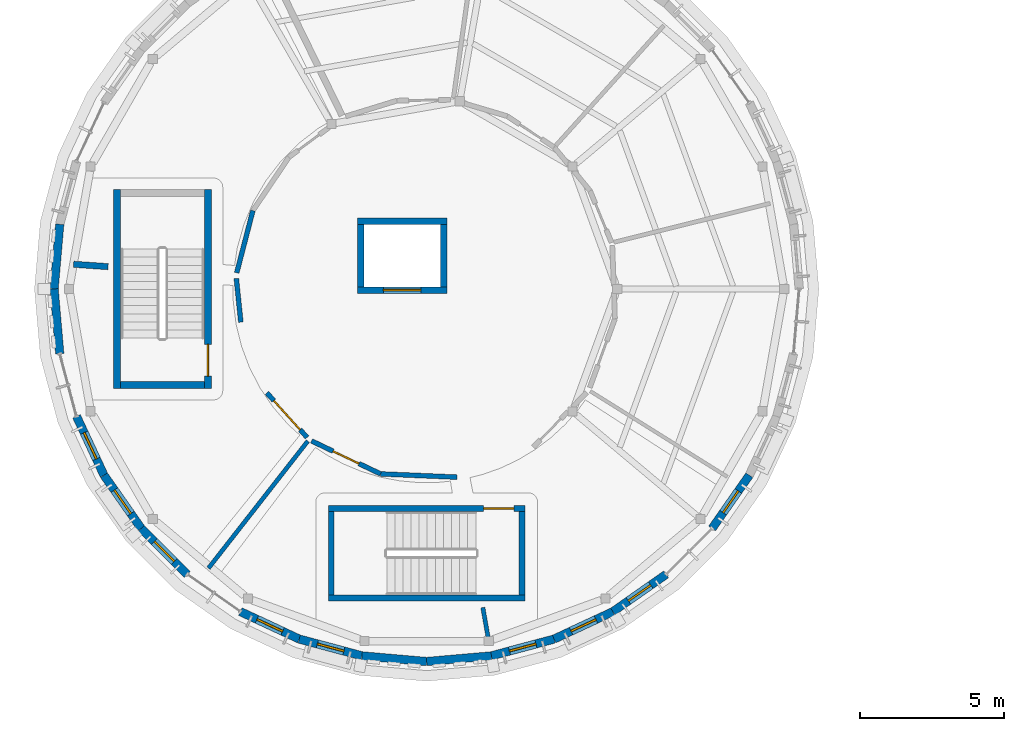
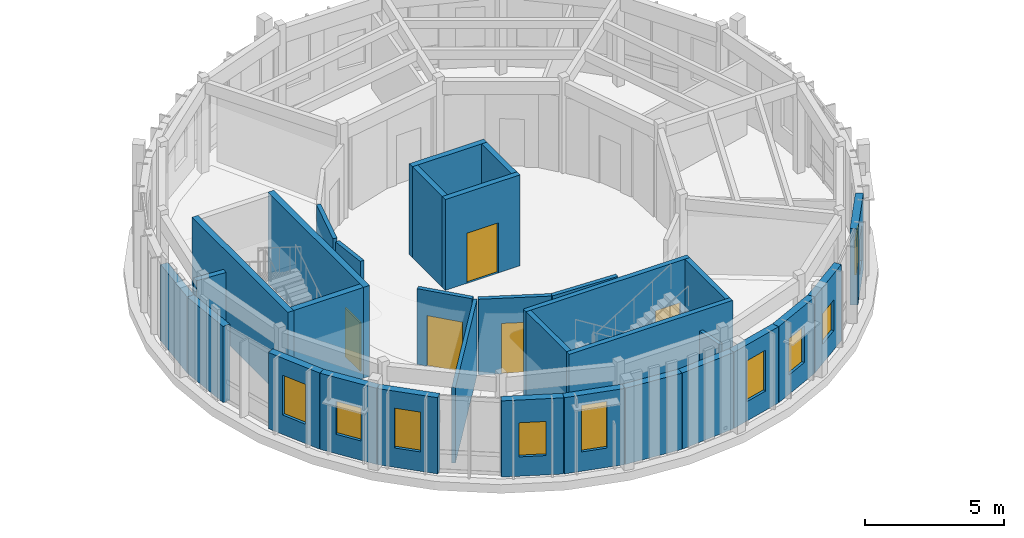
# One storey, part 17 of 37: 32 walls, 9 windows, 5 doors, 14 openings.
"""IFC4 building model written with IfcOpenShell, lengths in metres."""

from ifc_helpers import new_model, si_unit, direction, frame, frame_2d, origin, place, context, subcontext, project, spatial, rectangle, extrude, material, layer, layer_set, type_object, element, fill, save


model = new_model("IFC4")

# Units and contexts
model_context = context("Model", 3, precision=1e-05, world=origin(), true_north=direction((0.0, 1.0)))
body_context = subcontext(model_context, "Body", "Model", "MODEL_VIEW")
ifc_project = project(units=[si_unit("LENGTHUNIT", "METRE"), si_unit("AREAUNIT", "SQUARE_METRE"), si_unit("VOLUMEUNIT", "CUBIC_METRE"), si_unit("PLANEANGLEUNIT", "RADIAN"), si_unit("MASSUNIT", "GRAM", prefix="KILO")], contexts=[model_context])

# Site, building, storey
site_placement = place(None, origin())
site = spatial("IfcSite", under=ifc_project, at=site_placement, CompositionType="ELEMENT")
building_placement = place(site_placement, origin())
building = spatial("IfcBuilding", under=site, at=building_placement, Name="Aldenvaro Health Centre", CompositionType="ELEMENT")
storey_placement = place(building_placement, frame((0.0, 0.0, 12.949951171875)))
storey = spatial("IfcBuildingStorey", under=building, at=storey_placement, Name="L03", CompositionType="ELEMENT", Elevation=12.949951171875)

# Walls
ifc_material_1 = material(Name="Gypsum Stud Acoustic Assembly")
ifc_layer_1 = layer(ifc_material_1, 0.14501953125, Name="Gypsum Stud Acoustic Assembly")
ifc_layer_set_1 = layer_set([ifc_layer_1], Name="Gypsum Stud Acoustic Assembly")
wall_type_1 = type_object("IfcWallType", Name="WL-CLN-145", PredefinedType="PARTITIONING", material=ifc_layer_set_1)
wall_1_placement = place(storey_placement, frame((14.385986328125, 13.23388671875, 0.0), z_axis=(0.0, 0.0, 1.0), x_axis=(-0.615754283542, -0.787938235079, 0.0)))
element("IfcWall", 1, at=wall_1_placement, inside=storey, type_object=wall_type_1, Name="D5 L03 clinical partition 3.1", PredefinedType="PARTITIONING", context=body_context, shape_type="SweptSolid", body=[
    extrude(rectangle(XDim=5.586669921875, YDim=0.14501953125, at=frame_2d((2.79345703125, 0.0))), origin(), (0.0, 0.0, 1.0), 3.323974609375),
])
wall_2_placement = place(storey_placement, frame((20.445068359375, 7.469970703125, 0.0), z_axis=(0.0, 0.0, 1.0), x_axis=(0.173759982235, -0.984788032306, 0.0)))
element("IfcWall", 2, at=wall_2_placement, inside=storey, type_object=wall_type_1, Name="D5 L03 clinical partition 4.1", PredefinedType="PARTITIONING", context=body_context, shape_type="SweptSolid", body=[
    extrude(rectangle(XDim=1.0986328125, YDim=0.14501953125, at=frame_2d((0.54931640625, 0.0))), origin(), (0.0, 0.0, 1.0), 3.323974609375),
])
ifc_layer_2 = layer(ifc_material_1, 0.1650390625, Name="Gypsum Stud Acoustic Assembly")
ifc_layer_set_2 = layer_set([ifc_layer_2], Name="Gypsum Stud Acoustic Assembly")
wall_type_2 = type_object("IfcWallType", Name="WL-COR-165", PredefinedType="PARTITIONING", material=ifc_layer_set_2)
wall_3_placement = place(storey_placement, frame((12.48388671875, 21.214111328125, 0.0), z_axis=(0.0, 0.0, 1.0), x_axis=(-0.251319689769, -0.967904134475, 0.0)))
element("IfcWall", 3, at=wall_3_placement, inside=storey, type_object=wall_type_2, Name="D5 L03 corridor wall 01.3", PredefinedType="PARTITIONING", context=body_context, shape_type="SweptSolid", body=[
    extrude(rectangle(XDim=2.2275390625, YDim=0.1650390625, at=frame_2d((1.11376953125, 0.0))), origin(), (0.0, 0.0, 1.0), 3.323974609375),
])
wall_4_placement = place(storey_placement, frame((11.909912109375, 18.863037109375, 0.0), z_axis=(0.0, 0.0, 1.0), x_axis=(0.102570557108, -0.994725731453, 0.0)))
element("IfcWall", 4, at=wall_4_placement, inside=storey, type_object=wall_type_2, Name="D5 L03 corridor wall 02.1", PredefinedType="PARTITIONING", context=body_context, shape_type="SweptSolid", body=[
    extrude(rectangle(XDim=1.52099609375, YDim=0.1650390625, at=frame_2d((0.760498046875, 0.0))), origin(), (0.0, 0.0, 1.0), 3.323974609375),
])

# Wall, opening, door
wall_5_placement = place(storey_placement, frame((12.968017578125, 14.90087890625, 0.0), z_axis=(0.0, 0.0, 1.0), x_axis=(0.670399039083, -0.742000760374, 0.0)))
wall_5 = element("IfcWall", 5, at=wall_5_placement, inside=storey, type_object=wall_type_2, Name="D5 L03 corridor wall 02.2", PredefinedType="PARTITIONING", context=body_context, shape_type="SweptSolid", body=[
    extrude(rectangle(XDim=2.076416015625, YDim=0.1650390625, at=frame_2d((1.0380859375, 0.0))), origin(), (0.0, 0.0, 1.0), 3.323974609375),
])
opening_1_placement = place(wall_5_placement, frame((0.363037109375, 0.0, 0.0)))
opening_1 = element("IfcOpeningElement", 6, at=opening_1_placement, cuts=wall_5, Name="Opening XD-02", PredefinedType="OPENING", context=body_context, shape_type="SweptSolid", body=[
    extrude(rectangle(XDim=1.35009765625, YDim=2.219970703125, at=frame_2d((0.675048828125, 1.10986328125))), frame((0.0, 0.092529296875, 0.0), z_axis=(0.0, -1.0, 0.0), x_axis=(1.0, 0.0, 0.0)), (0.0, 0.0, 1.0), 0.18505859375),
])
ifc_material_2 = material(Name="RF-Shielded MRI Suite Door")
door_type_1 = type_object("IfcDoorType", Name="DR-IMG-135", OperationType="NOTDEFINED", PredefinedType="DOOR", material=ifc_material_2)
door_1_placement = place(opening_1_placement, origin())
door_1 = element("IfcDoor", 7, at=door_1_placement, inside=storey, type_object=door_type_1, Name="Neurodiagnostics EEG and Sleep Prep Door", OperationType="SINGLE_SWING_RIGHT", OverallHeight=2.219970703125, OverallWidth=1.35009765625, PredefinedType="DOOR", context=body_context, shape_type="SweptSolid", body=[
    extrude(rectangle(XDim=1.35009765625, YDim=2.219970703125, at=frame_2d((0.675048828125, 1.10986328125))), frame((0.0, 0.02490234375, 0.0), z_axis=(0.0, -1.0, 0.0), x_axis=(1.0, 0.0, 0.0)), (0.0, 0.0, 1.0), 0.050048828125),
])
fill(opening_1, door_1)

wall_6_placement = place(storey_placement, frame((14.513916015625, 13.239013671875, 0.0), z_axis=(0.0, 0.0, 1.0), x_axis=(0.902071813547, -0.431585962705, 0.0)))
wall_6 = element("IfcWall", 8, at=wall_6_placement, inside=storey, type_object=wall_type_2, Name="D5 L03 corridor wall 03.1", PredefinedType="PARTITIONING", context=body_context, shape_type="SweptSolid", body=[
    extrude(rectangle(XDim=2.6484375, YDim=0.1650390625, at=frame_2d((1.32421875, 0.0))), origin(), (0.0, 0.0, 1.0), 3.323974609375),
])
opening_2_placement = place(wall_6_placement, frame((0.8291015625, 0.0, 0.0)))
opening_2 = element("IfcOpeningElement", 9, at=opening_2_placement, cuts=wall_6, Name="Opening D-18", PredefinedType="OPENING", context=body_context, shape_type="SweptSolid", body=[
    extrude(rectangle(XDim=0.989990234375, YDim=2.219970703125, at=frame_2d((0.4951171875, 1.10986328125))), frame((0.0, 0.092529296875, 0.0), z_axis=(0.0, -1.0, 0.0), x_axis=(1.0, 0.0, 0.0)), (0.0, 0.0, 1.0), 0.18505859375),
])
ifc_material_3 = material(Name="Exam Suite Timber Door", Category="wood")
door_type_2 = type_object("IfcDoorType", Name="DR-CLN-18", OperationType="NOTDEFINED", PredefinedType="DOOR", material=ifc_material_3)
door_2_placement = place(opening_2_placement, origin())
door_2 = element("IfcDoor", 10, at=door_2_placement, inside=storey, type_object=door_type_2, Name="Diagnostic Nursing Prep Station Door", OperationType="SINGLE_SWING_LEFT", OverallHeight=2.219970703125, OverallWidth=0.989990234375, PredefinedType="DOOR", context=body_context, shape_type="SweptSolid", body=[
    extrude(rectangle(XDim=0.989990234375, YDim=2.219970703125, at=frame_2d((0.4951171875, 1.10986328125))), frame((0.0, 0.02490234375, 0.0), z_axis=(0.0, -1.0, 0.0), x_axis=(1.0, 0.0, 0.0)), (0.0, 0.0, 1.0), 0.050048828125),
])
fill(opening_2, door_2)

# Wall
wall_7_placement = place(storey_placement, frame((16.903076171875, 12.095947265625, 0.0), z_axis=(0.0, 0.0, 1.0), x_axis=(0.99910506135, -0.042297474927, 0.0)))
element("IfcWall", 11, at=wall_7_placement, inside=storey, type_object=wall_type_2, Name="D5 L03 corridor wall 03.2", PredefinedType="PARTITIONING", context=body_context, shape_type="SweptSolid", body=[
    extrude(rectangle(XDim=2.6494140625, YDim=0.1650390625, at=frame_2d((1.32470703125, 0.0))), origin(), (0.0, 0.0, 1.0), 3.323974609375),
])

# Wall, opening, window
ifc_material_4 = material(Name="Cross-laminated timber CLT E1", Category="wood")
ifc_layer_3 = layer(ifc_material_4, 0.2900390625, Name="Cross-laminated timber CLT E1", Category="wood")
ifc_layer_set_3 = layer_set([ifc_layer_3], Name="Cross-laminated timber CLT E1")
wall_type_3 = type_object("IfcWallType", Name="WL-EXT-290", PredefinedType="ELEMENTEDWALL", material=ifc_layer_set_3)
wall_8_placement = place(storey_placement, frame((29.672119140625, 12.050048828125, 0.0), z_axis=(0.0, 0.0, 1.0), x_axis=(-0.573644482107, -0.819104393925, 0.0)))
wall_8 = element("IfcWall", 12, at=wall_8_placement, inside=storey, type_object=wall_type_3, Name="D5 L03 exterior wall 04", PredefinedType="ELEMENTEDWALL", context=body_context, shape_type="SweptSolid", body=[
    extrude(rectangle(XDim=2.248779296875, YDim=0.2900390625, at=frame_2d((1.12451171875, 0.0))), origin(), (0.0, 0.0, 1.0), 3.34912109375),
])
opening_3_placement = place(wall_8_placement, frame((0.6640625, 0.0, 0.85009765625)))
opening_3 = element("IfcOpeningElement", 13, at=opening_3_placement, cuts=wall_8, Name="Opening W-08", PredefinedType="OPENING", context=body_context, shape_type="SweptSolid", body=[
    extrude(rectangle(XDim=0.919921875, YDim=1.550048828125, at=frame_2d((0.4599609375, 0.77490234375))), frame((0.0, 0.155029296875, 0.0), z_axis=(0.0, -1.0, 0.0), x_axis=(1.0, 0.0, 0.0)), (0.0, 0.0, 1.0), 0.31005859375),
])
ifc_material_5 = material(Name="Thermally Broken Aluminium Low-E Glass", Category="aluminium")
window_type_1 = type_object("IfcWindowType", Name="WN-EXT-08", PartitioningType="SINGLE_PANEL", PredefinedType="WINDOW", material=ifc_material_5)
window_1_placement = place(opening_3_placement, origin())
window_1 = element("IfcWindow", 14, at=window_1_placement, inside=storey, type_object=window_type_1, Name="D5 L03 clinical window 04", OverallHeight=1.550048828125, OverallWidth=0.919921875, PartitioningType="SINGLE_PANEL", PredefinedType="WINDOW", context=body_context, shape_type="SweptSolid", body=[
    extrude(rectangle(XDim=0.919921875, YDim=1.550048828125, at=frame_2d((0.4599609375, 0.77490234375))), frame((0.0, 0.030029296875, 0.0), z_axis=(0.0, -1.0, 0.0), x_axis=(1.0, 0.0, 0.0)), (0.0, 0.0, 1.0), 0.06005859375),
])
fill(opening_3, window_1)

wall_9_placement = place(storey_placement, frame((26.7919921875, 8.617919921875, 0.0), z_axis=(0.0, 0.0, 1.0), x_axis=(-0.819104393925, -0.573644482107, 0.0)))
wall_9 = element("IfcWall", 15, at=wall_9_placement, inside=storey, type_object=wall_type_3, Name="D5 L03 exterior wall 06", PredefinedType="ELEMENTEDWALL", context=body_context, shape_type="SweptSolid", body=[
    extrude(rectangle(XDim=2.248779296875, YDim=0.2900390625, at=frame_2d((1.12451171875, 0.0))), origin(), (0.0, 0.0, 1.0), 3.34912109375),
])
opening_4_placement = place(wall_9_placement, frame((0.64892578125, 0.0, 0.85009765625)))
opening_4 = element("IfcOpeningElement", 16, at=opening_4_placement, cuts=wall_9, Name="Opening W-09", PredefinedType="OPENING", context=body_context, shape_type="SweptSolid", body=[
    extrude(rectangle(XDim=0.949951171875, YDim=1.35009765625, at=frame_2d((0.47509765625, 0.675048828125))), frame((0.0, 0.155029296875, 0.0), z_axis=(0.0, -1.0, 0.0), x_axis=(1.0, 0.0, 0.0)), (0.0, 0.0, 1.0), 0.31005859375),
])
window_type_2 = type_object("IfcWindowType", Name="WN-EXT-09", PartitioningType="SINGLE_PANEL", PredefinedType="WINDOW", material=ifc_material_5)
window_2_placement = place(opening_4_placement, origin())
window_2 = element("IfcWindow", 17, at=window_2_placement, inside=storey, type_object=window_type_2, Name="D5 L03 clinical window 06", OverallHeight=1.35009765625, OverallWidth=0.949951171875, PartitioningType="SINGLE_PANEL", PredefinedType="WINDOW", context=body_context, shape_type="SweptSolid", body=[
    extrude(rectangle(XDim=0.949951171875, YDim=1.35009765625, at=frame_2d((0.47509765625, 0.675048828125))), frame((0.0, 0.030029296875, 0.0), z_axis=(0.0, -1.0, 0.0), x_axis=(1.0, 0.0, 0.0)), (0.0, 0.0, 1.0), 0.06005859375),
])
fill(opening_4, window_2)

wall_10_placement = place(storey_placement, frame((24.949951171875, 7.327880859375, 0.0), z_axis=(0.0, 0.0, 1.0), x_axis=(-0.906360600886, -0.422504983593, 0.0)))
wall_10 = element("IfcWall", 18, at=wall_10_placement, inside=storey, type_object=wall_type_3, Name="D5 L03 exterior wall 07", PredefinedType="ELEMENTEDWALL", context=body_context, shape_type="SweptSolid", body=[
    extrude(rectangle(XDim=2.248291015625, YDim=0.2900390625, at=frame_2d((1.1240234375, 0.0))), origin(), (0.0, 0.0, 1.0), 3.34912109375),
])
opening_5_placement = place(wall_10_placement, frame((0.64892578125, 0.0, 0.85009765625)))
opening_5 = element("IfcOpeningElement", 19, at=opening_5_placement, cuts=wall_10, Name="Opening W-10", PredefinedType="OPENING", context=body_context, shape_type="SweptSolid", body=[
    extrude(rectangle(XDim=0.949951171875, YDim=1.60009765625, at=frame_2d((0.47509765625, 0.800048828125))), frame((0.0, 0.155029296875, 0.0), z_axis=(0.0, -1.0, 0.0), x_axis=(1.0, 0.0, 0.0)), (0.0, 0.0, 1.0), 0.31005859375),
])
window_type_3 = type_object("IfcWindowType", Name="WN-EXT-10", PartitioningType="SINGLE_PANEL", PredefinedType="WINDOW", material=ifc_material_5)
window_3_placement = place(opening_5_placement, origin())
window_3 = element("IfcWindow", 20, at=window_3_placement, inside=storey, type_object=window_type_3, Name="D5 L03 clinical window 07", OverallHeight=1.60009765625, OverallWidth=0.949951171875, PartitioningType="SINGLE_PANEL", PredefinedType="WINDOW", context=body_context, shape_type="SweptSolid", body=[
    extrude(rectangle(XDim=0.949951171875, YDim=1.60009765625, at=frame_2d((0.47509765625, 0.800048828125))), frame((0.0, 0.030029296875, 0.0), z_axis=(0.0, -1.0, 0.0), x_axis=(1.0, 0.0, 0.0)), (0.0, 0.0, 1.0), 0.06005859375),
])
fill(opening_5, window_3)

wall_11_placement = place(storey_placement, frame((22.912109375, 6.3779296875, 0.0), z_axis=(0.0, 0.0, 1.0), x_axis=(-0.96592430538, -0.258824721145, 0.0)))
wall_11 = element("IfcWall", 21, at=wall_11_placement, inside=storey, type_object=wall_type_3, Name="D5 L03 exterior wall 08", PredefinedType="ELEMENTEDWALL", context=body_context, shape_type="SweptSolid", body=[
    extrude(rectangle(XDim=2.248779296875, YDim=0.2900390625, at=frame_2d((1.12451171875, 0.0))), origin(), (0.0, 0.0, 1.0), 3.34912109375),
])
opening_6_placement = place(wall_11_placement, frame((0.64892578125, 0.0, 0.85009765625)))
opening_6 = element("IfcOpeningElement", 22, at=opening_6_placement, cuts=wall_11, Name="Opening W-11", PredefinedType="OPENING", context=body_context, shape_type="SweptSolid", body=[
    extrude(rectangle(XDim=0.949951171875, YDim=1.800048828125, at=frame_2d((0.47509765625, 0.89990234375))), frame((0.0, 0.155029296875, 0.0), z_axis=(0.0, -1.0, 0.0), x_axis=(1.0, 0.0, 0.0)), (0.0, 0.0, 1.0), 0.31005859375),
])
window_type_4 = type_object("IfcWindowType", Name="WN-EXT-11", PartitioningType="SINGLE_PANEL", PredefinedType="WINDOW", material=ifc_material_5)
window_4_placement = place(opening_6_placement, origin())
window_4 = element("IfcWindow", 23, at=window_4_placement, inside=storey, type_object=window_type_4, Name="D5 L03 clinical window 08", OverallHeight=1.800048828125, OverallWidth=0.949951171875, PartitioningType="SINGLE_PANEL", PredefinedType="WINDOW", context=body_context, shape_type="SweptSolid", body=[
    extrude(rectangle(XDim=0.949951171875, YDim=1.800048828125, at=frame_2d((0.47509765625, 0.89990234375))), frame((0.0, 0.030029296875, 0.0), z_axis=(0.0, -1.0, 0.0), x_axis=(1.0, 0.0, 0.0)), (0.0, 0.0, 1.0), 0.06005859375),
])
fill(opening_6, window_4)

# Walls
for number, where, z_axis, x_axis, name in (
    (24, (20.739990234375, 5.7958984375, 0.0), (0.0, 0.0, 1.0), (-0.996201374201, -0.087079400775, 0.0), "D5 L03 exterior wall 09"),
    (25, (18.5, 5.60009765625, 0.0), (0.0, 0.0, 1.0), (-0.996201374201, 0.087079400775, 0.0), "D5 L03 exterior wall 10"),
):
    element("IfcWall", number, at=place(storey_placement, frame(where, z_axis=z_axis, x_axis=x_axis)), inside=storey, type_object=wall_type_3, Name=name, PredefinedType="ELEMENTEDWALL", context=body_context, shape_type="SweptSolid", body=[
        extrude(rectangle(XDim=2.24853515625, YDim=0.2900390625, at=frame_2d((1.124267578125, 0.0))), origin(), (0.0, 0.0, 1.0), 3.34912109375),
    ])

# Wall, opening, window
wall_12_placement = place(storey_placement, frame((16.260009765625, 5.7958984375, 0.0), z_axis=(0.0, 0.0, 1.0), x_axis=(-0.96592430538, 0.258824721145, 0.0)))
wall_12 = element("IfcWall", 26, at=wall_12_placement, inside=storey, type_object=wall_type_3, Name="D5 L03 exterior wall 11", PredefinedType="ELEMENTEDWALL", context=body_context, shape_type="SweptSolid", body=[
    extrude(rectangle(XDim=2.248779296875, YDim=0.2900390625, at=frame_2d((1.12451171875, 0.0))), origin(), (0.0, 0.0, 1.0), 3.34912109375),
])
opening_7_placement = place(wall_12_placement, frame((0.64892578125, 0.0, 0.85009765625)))
opening_7 = element("IfcOpeningElement", 27, at=opening_7_placement, cuts=wall_12, Name="Opening W-12", PredefinedType="OPENING", context=body_context, shape_type="SweptSolid", body=[
    extrude(rectangle(XDim=0.949951171875, YDim=2.050048828125, at=frame_2d((0.47509765625, 1.02490234375))), frame((0.0, 0.155029296875, 0.0), z_axis=(0.0, -1.0, 0.0), x_axis=(1.0, 0.0, 0.0)), (0.0, 0.0, 1.0), 0.31005859375),
])
window_type_5 = type_object("IfcWindowType", Name="WN-EXT-12", PartitioningType="SINGLE_PANEL", PredefinedType="WINDOW", material=ifc_material_5)
window_5_placement = place(opening_7_placement, origin())
window_5 = element("IfcWindow", 28, at=window_5_placement, inside=storey, type_object=window_type_5, Name="D5 L03 clinical window 11", OverallHeight=2.050048828125, OverallWidth=0.949951171875, PartitioningType="SINGLE_PANEL", PredefinedType="WINDOW", context=body_context, shape_type="SweptSolid", body=[
    extrude(rectangle(XDim=0.949951171875, YDim=2.050048828125, at=frame_2d((0.47509765625, 1.02490234375))), frame((0.0, 0.030029296875, 0.0), z_axis=(0.0, -1.0, 0.0), x_axis=(1.0, 0.0, 0.0)), (0.0, 0.0, 1.0), 0.06005859375),
])
fill(opening_7, window_5)

wall_13_placement = place(storey_placement, frame((14.087890625, 6.3779296875, 0.0), z_axis=(0.0, 0.0, 1.0), x_axis=(-0.906360600886, 0.422504983593, 0.0)))
wall_13 = element("IfcWall", 29, at=wall_13_placement, inside=storey, type_object=wall_type_3, Name="D5 L03 exterior wall 12", PredefinedType="ELEMENTEDWALL", context=body_context, shape_type="SweptSolid", body=[
    extrude(rectangle(XDim=2.248291015625, YDim=0.2900390625, at=frame_2d((1.1240234375, 0.0))), origin(), (0.0, 0.0, 1.0), 3.34912109375),
])
opening_8_placement = place(wall_13_placement, frame((0.634033203125, 0.0, 0.85009765625)))
opening_8 = element("IfcOpeningElement", 30, at=opening_8_placement, cuts=wall_13, Name="Opening W-13", PredefinedType="OPENING", context=body_context, shape_type="SweptSolid", body=[
    extrude(rectangle(XDim=0.97998046875, YDim=1.5, at=frame_2d((0.489990234375, 0.75))), frame((0.0, 0.155029296875, 0.0), z_axis=(0.0, -1.0, 0.0), x_axis=(1.0, 0.0, 0.0)), (0.0, 0.0, 1.0), 0.31005859375),
])
window_type_6 = type_object("IfcWindowType", Name="WN-EXT-13", PartitioningType="SINGLE_PANEL", PredefinedType="WINDOW", material=ifc_material_5)
window_6_placement = place(opening_8_placement, origin())
window_6 = element("IfcWindow", 31, at=window_6_placement, inside=storey, type_object=window_type_6, Name="D5 L03 clinical window 12", OverallHeight=1.5, OverallWidth=0.97998046875, PartitioningType="SINGLE_PANEL", PredefinedType="WINDOW", context=body_context, shape_type="SweptSolid", body=[
    extrude(rectangle(XDim=0.97998046875, YDim=1.5, at=frame_2d((0.489990234375, 0.75))), frame((0.0, 0.030029296875, 0.0), z_axis=(0.0, -1.0, 0.0), x_axis=(1.0, 0.0, 0.0)), (0.0, 0.0, 1.0), 0.06005859375),
])
fill(opening_8, window_6)

wall_14_placement = place(storey_placement, frame((10.2080078125, 8.617919921875, 0.0), z_axis=(0.0, 0.0, 1.0), x_axis=(-0.707106781187, 0.707106781187, 0.0)))
wall_14 = element("IfcWall", 32, at=wall_14_placement, inside=storey, type_object=wall_type_3, Name="D5 L03 exterior wall 14", PredefinedType="ELEMENTEDWALL", context=body_context, shape_type="SweptSolid", body=[
    extrude(rectangle(XDim=2.248779296875, YDim=0.2900390625, at=frame_2d((1.12451171875, 0.0))), origin(), (0.0, 0.0, 1.0), 3.34912109375),
])
opening_9_placement = place(wall_14_placement, frame((0.634033203125, 0.0, 0.85009765625)))
opening_9 = element("IfcOpeningElement", 33, at=opening_9_placement, cuts=wall_14, Name="Opening W-14", PredefinedType="OPENING", context=body_context, shape_type="SweptSolid", body=[
    extrude(rectangle(XDim=0.97998046875, YDim=1.75, at=frame_2d((0.489990234375, 0.875))), frame((0.0, 0.155029296875, 0.0), z_axis=(0.0, -1.0, 0.0), x_axis=(1.0, 0.0, 0.0)), (0.0, 0.0, 1.0), 0.31005859375),
])
window_type_7 = type_object("IfcWindowType", Name="WN-EXT-14", PartitioningType="SINGLE_PANEL", PredefinedType="WINDOW", material=ifc_material_5)
window_7_placement = place(opening_9_placement, origin())
window_7 = element("IfcWindow", 34, at=window_7_placement, inside=storey, type_object=window_type_7, Name="D5 L03 clinical window 14", OverallHeight=1.75, OverallWidth=0.97998046875, PartitioningType="SINGLE_PANEL", PredefinedType="WINDOW", context=body_context, shape_type="SweptSolid", body=[
    extrude(rectangle(XDim=0.97998046875, YDim=1.75, at=frame_2d((0.489990234375, 0.875))), frame((0.0, 0.030029296875, 0.0), z_axis=(0.0, -1.0, 0.0), x_axis=(1.0, 0.0, 0.0)), (0.0, 0.0, 1.0), 0.06005859375),
])
fill(opening_9, window_7)

wall_15_placement = place(storey_placement, frame((8.617919921875, 10.2080078125, 0.0), z_axis=(0.0, 0.0, 1.0), x_axis=(-0.573644482107, 0.819104393925, 0.0)))
wall_15 = element("IfcWall", 35, at=wall_15_placement, inside=storey, type_object=wall_type_3, Name="D5 L03 exterior wall 15", PredefinedType="ELEMENTEDWALL", context=body_context, shape_type="SweptSolid", body=[
    extrude(rectangle(XDim=2.248779296875, YDim=0.2900390625, at=frame_2d((1.12451171875, 0.0))), origin(), (0.0, 0.0, 1.0), 3.34912109375),
])
opening_10_placement = place(wall_15_placement, frame((0.6240234375, 0.0, 0.85009765625)))
opening_10 = element("IfcOpeningElement", 36, at=opening_10_placement, cuts=wall_15, Name="Opening W-15", PredefinedType="OPENING", context=body_context, shape_type="SweptSolid", body=[
    extrude(rectangle(XDim=1.0, YDim=1.449951171875, at=frame_2d((0.5, 0.72509765625))), frame((0.0, 0.155029296875, 0.0), z_axis=(0.0, -1.0, 0.0), x_axis=(1.0, 0.0, 0.0)), (0.0, 0.0, 1.0), 0.31005859375),
])
window_type_8 = type_object("IfcWindowType", Name="WN-EXT-15", PartitioningType="SINGLE_PANEL", PredefinedType="WINDOW", material=ifc_material_5)
window_8_placement = place(opening_10_placement, origin())
window_8 = element("IfcWindow", 37, at=window_8_placement, inside=storey, type_object=window_type_8, Name="D5 L03 clinical window 15", OverallHeight=1.449951171875, OverallWidth=1.0, PartitioningType="SINGLE_PANEL", PredefinedType="WINDOW", context=body_context, shape_type="SweptSolid", body=[
    extrude(rectangle(XDim=1.0, YDim=1.449951171875, at=frame_2d((0.5, 0.72509765625))), frame((0.0, 0.030029296875, 0.0), z_axis=(0.0, -1.0, 0.0), x_axis=(1.0, 0.0, 0.0)), (0.0, 0.0, 1.0), 0.06005859375),
])
fill(opening_10, window_8)

wall_16_placement = place(storey_placement, frame((7.327880859375, 12.050048828125, 0.0), z_axis=(0.0, 0.0, 1.0), x_axis=(-0.422504983593, 0.906360600886, 0.0)))
wall_16 = element("IfcWall", 38, at=wall_16_placement, inside=storey, type_object=wall_type_3, Name="D5 L03 exterior wall 16", PredefinedType="ELEMENTEDWALL", context=body_context, shape_type="SweptSolid", body=[
    extrude(rectangle(XDim=2.248291015625, YDim=0.2900390625, at=frame_2d((1.1240234375, 0.0))), origin(), (0.0, 0.0, 1.0), 3.34912109375),
])
opening_11_placement = place(wall_16_placement, frame((0.6240234375, 0.0, 0.85009765625)))
opening_11 = element("IfcOpeningElement", 39, at=opening_11_placement, cuts=wall_16, Name="Opening W-16", PredefinedType="OPENING", context=body_context, shape_type="SweptSolid", body=[
    extrude(rectangle(XDim=1.0, YDim=1.75, at=frame_2d((0.5, 0.875))), frame((0.0, 0.155029296875, 0.0), z_axis=(0.0, -1.0, 0.0), x_axis=(1.0, 0.0, 0.0)), (0.0, 0.0, 1.0), 0.31005859375),
])
window_type_9 = type_object("IfcWindowType", Name="WN-EXT-16", PartitioningType="SINGLE_PANEL", PredefinedType="WINDOW", material=ifc_material_5)
window_9_placement = place(opening_11_placement, origin())
window_9 = element("IfcWindow", 40, at=window_9_placement, inside=storey, type_object=window_type_9, Name="D5 L03 clinical window 16", OverallHeight=1.75, OverallWidth=1.0, PartitioningType="SINGLE_PANEL", PredefinedType="WINDOW", context=body_context, shape_type="SweptSolid", body=[
    extrude(rectangle(XDim=1.0, YDim=1.75, at=frame_2d((0.5, 0.875))), frame((0.0, 0.030029296875, 0.0), z_axis=(0.0, -1.0, 0.0), x_axis=(1.0, 0.0, 0.0)), (0.0, 0.0, 1.0), 0.06005859375),
])
fill(opening_11, window_9)

# Walls
for number, where, z_axis, x_axis, name in (
    (41, (5.7958984375, 16.260009765625, 0.0), (0.0, 0.0, 1.0), (-0.087079400775, 0.996201374201, 0.0), "D5 L03 exterior wall 18"),
    (42, (5.60009765625, 18.5, 0.0), (0.0, 0.0, 1.0), (0.087079400775, 0.996201374201, 0.0), "D5 L03 exterior wall 19"),
):
    element("IfcWall", number, at=place(storey_placement, frame(where, z_axis=z_axis, x_axis=x_axis)), inside=storey, type_object=wall_type_3, Name=name, PredefinedType="ELEMENTEDWALL", context=body_context, shape_type="SweptSolid", body=[
        extrude(rectangle(XDim=2.24853515625, YDim=0.2900390625, at=frame_2d((1.124267578125, 0.0))), origin(), (0.0, 0.0, 1.0), 3.34912109375),
    ])
ifc_material_6 = material(Name="Concrete f'c 35 MPa", Category="concrete")
ifc_layer_4 = layer(ifc_material_6, 0.215087890625, Name="Concrete f'c 35 MPa", Category="concrete")
ifc_layer_set_4 = layer_set([ifc_layer_4], Name="Concrete f'c 35 MPa")
wall_type_4 = type_object("IfcWallType", Name="WL-IMG-215", PredefinedType="SOLIDWALL", material=ifc_layer_set_4)
wall_17_placement = place(storey_placement, frame((7.469970703125, 19.27099609375, 0.0), z_axis=(0.0, 0.0, 1.0), x_axis=(-0.997535754683, 0.070159946762, 0.0)))
element("IfcWall", 43, at=wall_17_placement, inside=storey, type_object=wall_type_4, Name="D5 L03 clinical partition 2.2", PredefinedType="SOLIDWALL", context=body_context, shape_type="SweptSolid", body=[
    extrude(rectangle(XDim=1.197021484375, YDim=0.215087890625, at=frame_2d((0.5986328125, 0.0))), origin(), (0.0, 0.0, 1.0), 3.323974609375),
])

# Wall, opening, door
ifc_material_7 = material(Name="Concrete f'c 40 MPa", Category="concrete")
ifc_layer_5 = layer(ifc_material_7, 0.199951171875, Name="Concrete f'c 40 MPa", Category="concrete")
ifc_layer_set_5 = layer_set([ifc_layer_5], Name="Concrete f'c 40 MPa")
wall_type_5 = type_object("IfcWallType", Name="WL-SHAFT-200", PredefinedType="SHEAR", material=ifc_layer_set_5)
wall_18_placement = place(storey_placement, frame((21.89990234375, 10.89990234375, 0.0), z_axis=(0.0, 0.0, 1.0), x_axis=(-1.0, 0.0, 0.0)))
wall_18 = element("IfcWall", 44, at=wall_18_placement, inside=storey, type_object=wall_type_5, Name="ST-10 L03 inner core wall", PredefinedType="SHEAR", context=body_context, shape_type="SweptSolid", body=[
    extrude(rectangle(XDim=6.7998046875, YDim=0.199951171875, at=frame_2d((3.39990234375, 0.0))), origin(), (0.0, 0.0, 1.0), 3.9951171875),
])
opening_12_placement = place(wall_18_placement, frame((0.3798828125, 0.0, 0.0)))
opening_12 = element("IfcOpeningElement", 45, at=opening_12_placement, cuts=wall_18, Name="Opening FD-02", PredefinedType="OPENING", context=body_context, shape_type="SweptSolid", body=[
    extrude(rectangle(XDim=1.050048828125, YDim=2.14990234375, at=frame_2d((0.52490234375, 1.074951171875))), frame((0.0, 0.10986328125, 0.0), z_axis=(0.0, -1.0, 0.0), x_axis=(1.0, 0.0, 0.0)), (0.0, 0.0, 1.0), 0.219970703125),
])
ifc_material_8 = material(Name="Fire-Rated Steel Door Assembly", Category="steel")
door_type_3 = type_object("IfcDoorType", Name="DR-STAIR-105", OperationType="NOTDEFINED", PredefinedType="DOOR", material=ifc_material_8)
door_3_placement = place(opening_12_placement, origin())
door_3 = element("IfcDoor", 46, at=door_3_placement, inside=storey, type_object=door_type_3, Name="ST-10 L03 fire stair door", OperationType="SINGLE_SWING_LEFT", OverallHeight=2.14990234375, OverallWidth=1.050048828125, PredefinedType="DOOR", context=body_context, shape_type="SweptSolid", body=[
    extrude(rectangle(XDim=1.050048828125, YDim=2.14990234375, at=frame_2d((0.52490234375, 1.074951171875))), frame((0.0, 0.02490234375, 0.0), z_axis=(0.0, -1.0, 0.0), x_axis=(1.0, 0.0, 0.0)), (0.0, 0.0, 1.0), 0.050048828125),
])
fill(opening_12, door_3)

# Walls
wall_19_placement = place(storey_placement, frame((21.89990234375, 7.800048828125, 0.0), z_axis=(0.0, 0.0, 1.0), x_axis=(-1.0, 0.0, 0.0)))
element("IfcWall", 47, at=wall_19_placement, inside=storey, type_object=wall_type_5, Name="ST-10 L03 far core wall", PredefinedType="SHEAR", context=body_context, shape_type="SweptSolid", body=[
    extrude(rectangle(XDim=6.7998046875, YDim=0.199951171875, at=frame_2d((3.39990234375, 0.0))), origin(), (0.0, 0.0, 1.0), 3.9951171875),
])
for number, where, z_axis, x_axis, name in (
    (48, (21.800048828125, 10.800048828125, 0.0), (0.0, 0.0, 1.0), (0.0, -1.0, 0.0), "ST-10 L03 side core wall L"),
    (49, (15.199951171875, 10.800048828125, 0.0), (0.0, 0.0, 1.0), (0.0, -1.0, 0.0), "ST-10 L03 side core wall R"),
):
    element("IfcWall", number, at=place(storey_placement, frame(where, z_axis=z_axis, x_axis=x_axis)), inside=storey, type_object=wall_type_5, Name=name, PredefinedType="SHEAR", context=body_context, shape_type="SweptSolid", body=[
        extrude(rectangle(XDim=2.900146484375, YDim=0.199951171875, at=frame_2d((1.4501953125, 0.0))), origin(), (0.0, 0.0, 1.0), 3.9951171875),
    ])

# Wall, opening, door
ifc_layer_6 = layer(ifc_material_7, 0.22509765625, Name="Concrete f'c 40 MPa", Category="concrete")
ifc_layer_set_6 = layer_set([ifc_layer_6], Name="Concrete f'c 40 MPa")
wall_type_6 = type_object("IfcWallType", Name="WL-SHAFT-225", PredefinedType="SHEAR", material=ifc_layer_set_6)
wall_20_placement = place(storey_placement, frame((16.10009765625, 18.4619140625, 0.0), z_axis=(0.0, 0.0, 1.0), x_axis=(1.0, 0.0, 0.0)))
wall_20 = element("IfcWall", 50, at=wall_20_placement, inside=storey, type_object=wall_type_6, Name="LF-05 L03 lift shaft front wall", PredefinedType="SHEAR", context=body_context, shape_type="SweptSolid", body=[
    extrude(rectangle(XDim=3.099853515625, YDim=0.22509765625, at=frame_2d((1.5498046875, 0.0))), origin(), (0.0, 0.0, 1.0), 3.9951171875),
])
opening_13_placement = place(wall_20_placement, frame((0.89990234375, 0.0, 0.0)))
opening_13 = element("IfcOpeningElement", 51, at=opening_13_placement, cuts=wall_20, Name="Opening LD-02", PredefinedType="OPENING", context=body_context, shape_type="SweptSolid", body=[
    extrude(rectangle(XDim=1.300048828125, YDim=2.199951171875, at=frame_2d((0.64990234375, 1.10009765625))), frame((0.0, 0.12255859375, 0.0), z_axis=(0.0, -1.0, 0.0), x_axis=(1.0, 0.0, 0.0)), (0.0, 0.0, 1.0), 0.2451171875),
])
ifc_material_9 = material(Name="Stainless Steel Stretcher Landing Door", Category="steel")
door_type_4 = type_object("IfcDoorType", Name="DR-LIFT-130", OperationType="DOUBLE_DOOR_SLIDING", PredefinedType="DOOR", material=ifc_material_9)
door_4_placement = place(opening_13_placement, origin())
door_4 = element("IfcDoor", 52, at=door_4_placement, inside=storey, type_object=door_type_4, Name="Lift LF-05 L03 Sliding Landing Door", OperationType="DOUBLE_DOOR_SLIDING", OverallHeight=2.199951171875, OverallWidth=1.300048828125, PredefinedType="DOOR", context=body_context, shape_type="SweptSolid", body=[
    extrude(rectangle(XDim=1.300048828125, YDim=2.199951171875, at=frame_2d((0.64990234375, 1.10009765625))), frame((0.0, 0.02490234375, 0.0), z_axis=(0.0, -1.0, 0.0), x_axis=(1.0, 0.0, 0.0)), (0.0, 0.0, 1.0), 0.050048828125),
])
fill(opening_13, door_4)

# Walls
wall_21_placement = place(storey_placement, frame((16.10009765625, 20.8369140625, 0.0), z_axis=(0.0, 0.0, 1.0), x_axis=(1.0, 0.0, 0.0)))
element("IfcWall", 53, at=wall_21_placement, inside=storey, type_object=wall_type_6, Name="LF-05 L03 lift shaft rear wall", PredefinedType="SHEAR", context=body_context, shape_type="SweptSolid", body=[
    extrude(rectangle(XDim=3.099853515625, YDim=0.22509765625, at=frame_2d((1.5498046875, 0.0))), origin(), (0.0, 0.0, 1.0), 3.9951171875),
])
for number, where, z_axis, x_axis, name in (
    (54, (16.2119140625, 18.574951171875, 0.0), (0.0, 0.0, 1.0), (0.0, 1.0, 0.0), "LF-05 L03 lift shaft side wall L"),
    (55, (19.0869140625, 18.574951171875, 0.0), (0.0, 0.0, 1.0), (0.0, 1.0, 0.0), "LF-05 L03 lift shaft side wall R"),
):
    element("IfcWall", number, at=place(storey_placement, frame(where, z_axis=z_axis, x_axis=x_axis)), inside=storey, type_object=wall_type_6, Name=name, PredefinedType="SHEAR", context=body_context, shape_type="SweptSolid", body=[
        extrude(rectangle(XDim=2.150146484375, YDim=0.22509765625, at=frame_2d((1.0751953125, 0.0))), origin(), (0.0, 0.0, 1.0), 3.9951171875),
    ])

# Wall, opening, door
ifc_layer_7 = layer(ifc_material_7, 0.25, Name="Concrete f'c 40 MPa", Category="concrete")
ifc_layer_set_7 = layer_set([ifc_layer_7], Name="Concrete f'c 40 MPa")
wall_type_7 = type_object("IfcWallType", Name="WL-SHAFT-250", PredefinedType="SHEAR", material=ifc_layer_set_7)
wall_22_placement = place(storey_placement, frame((10.925048828125, 15.050048828125, 0.0), z_axis=(0.0, 0.0, 1.0), x_axis=(0.0, 1.0, 0.0)))
wall_22 = element("IfcWall", 56, at=wall_22_placement, inside=storey, type_object=wall_type_7, Name="ST-09 L03 inner core wall", PredefinedType="SHEAR", context=body_context, shape_type="SweptSolid", body=[
    extrude(rectangle(XDim=6.89990234375, YDim=0.25, at=frame_2d((3.449951171875, 0.0))), origin(), (0.0, 0.0, 1.0), 3.9951171875),
])
opening_14_placement = place(wall_22_placement, frame((0.429931640625, 0.0, 0.0)))
opening_14 = element("IfcOpeningElement", 57, at=opening_14_placement, cuts=wall_22, Name="Opening FD-01", PredefinedType="OPENING", context=body_context, shape_type="SweptSolid", body=[
    extrude(rectangle(XDim=1.10009765625, YDim=2.14990234375, at=frame_2d((0.550048828125, 1.074951171875))), frame((0.0, 0.135009765625, 0.0), z_axis=(0.0, -1.0, 0.0), x_axis=(1.0, 0.0, 0.0)), (0.0, 0.0, 1.0), 0.27001953125),
])
door_type_5 = type_object("IfcDoorType", Name="DR-STAIR-110", OperationType="NOTDEFINED", PredefinedType="DOOR", material=ifc_material_8)
door_5_placement = place(opening_14_placement, origin())
door_5 = element("IfcDoor", 58, at=door_5_placement, inside=storey, type_object=door_type_5, Name="ST-09 L03 fire stair door", OperationType="SINGLE_SWING_LEFT", OverallHeight=2.14990234375, OverallWidth=1.10009765625, PredefinedType="DOOR", context=body_context, shape_type="SweptSolid", body=[
    extrude(rectangle(XDim=1.10009765625, YDim=2.14990234375, at=frame_2d((0.550048828125, 1.074951171875))), frame((0.0, 0.02490234375, 0.0), z_axis=(0.0, -1.0, 0.0), x_axis=(1.0, 0.0, 0.0)), (0.0, 0.0, 1.0), 0.050048828125),
])
fill(opening_14, door_5)

# Walls
wall_23_placement = place(storey_placement, frame((7.77490234375, 15.050048828125, 0.0), z_axis=(0.0, 0.0, 1.0), x_axis=(0.0, 1.0, 0.0)))
element("IfcWall", 59, at=wall_23_placement, inside=storey, type_object=wall_type_7, Name="ST-09 L03 far core wall", PredefinedType="SHEAR", context=body_context, shape_type="SweptSolid", body=[
    extrude(rectangle(XDim=6.89990234375, YDim=0.25, at=frame_2d((3.449951171875, 0.0))), origin(), (0.0, 0.0, 1.0), 3.9951171875),
])
wall_24_placement = place(storey_placement, frame((10.800048828125, 15.175048828125, 0.0), z_axis=(0.0, 0.0, 1.0), x_axis=(-1.0, 0.0, 0.0)))
element("IfcWall", 60, at=wall_24_placement, inside=storey, type_object=wall_type_7, Name="ST-09 L03 side core wall L", PredefinedType="SHEAR", context=body_context, shape_type="SweptSolid", body=[
    extrude(rectangle(XDim=2.900146484375, YDim=0.25, at=frame_2d((1.4501953125, 0.0))), origin(), (0.0, 0.0, 1.0), 3.9951171875),
])

save(model, "model.ifc")
